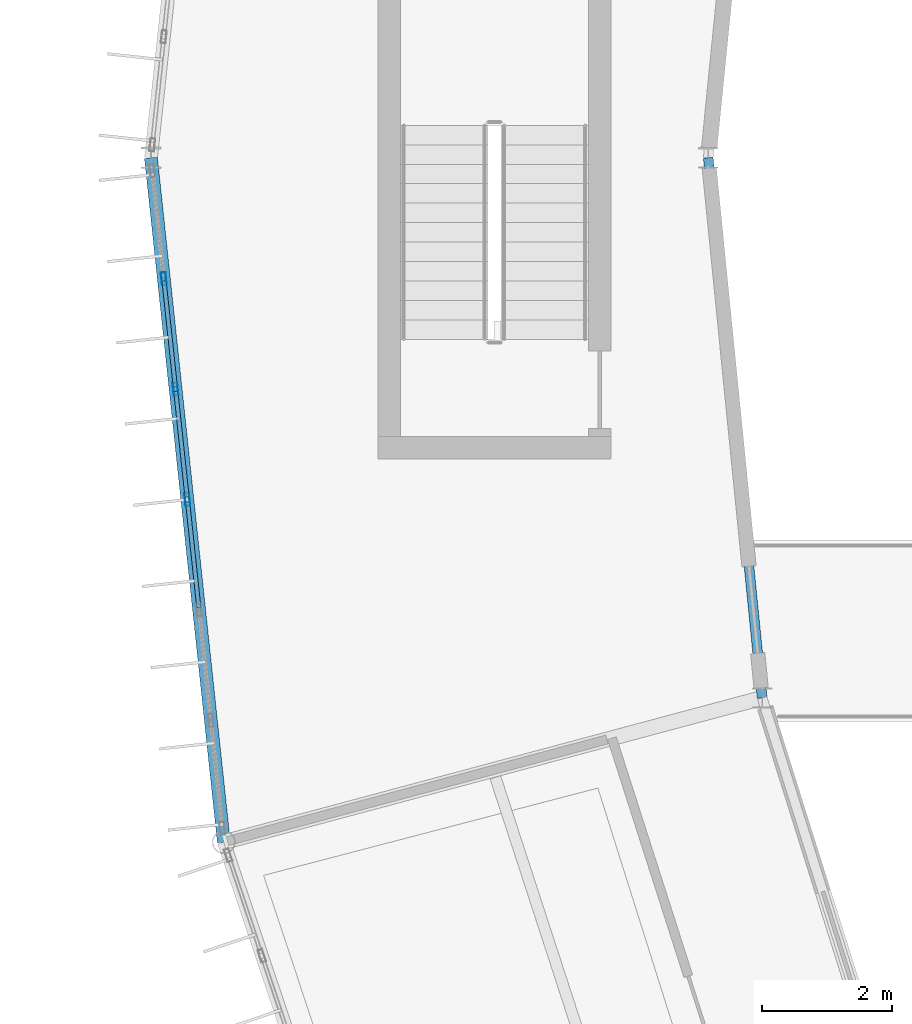
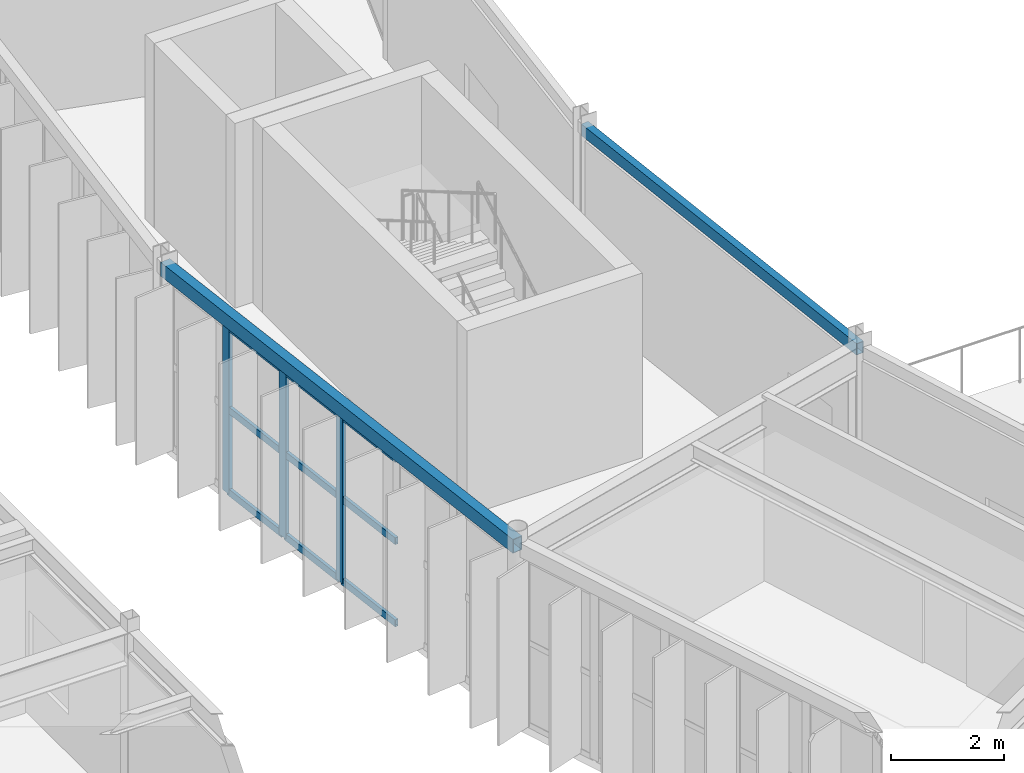
# One storey, part 43 of 147: 12 members, 2 beams, 1 element without a shape of its own.
"""IFC4 building model written with IfcOpenShell, lengths in metres."""

from ifc_helpers import new_model, si_unit, direction, frame, origin, origin_2d, place, context, subcontext, project, spatial, hollow_rectangle, extrude, material, material_profile, profile_set, type_object, element, aggregate, save


model = new_model("IFC4")

# Units and contexts
model_context = context("Model", 3, precision=1e-05, world=origin(), true_north=direction((0.0, 1.0)))
body_context = subcontext(model_context, "Body", "Model", "MODEL_VIEW")
ifc_project = project(units=[si_unit("LENGTHUNIT", "METRE"), si_unit("AREAUNIT", "SQUARE_METRE"), si_unit("VOLUMEUNIT", "CUBIC_METRE"), si_unit("PLANEANGLEUNIT", "RADIAN"), si_unit("MASSUNIT", "GRAM", prefix="KILO")], contexts=[model_context])

# Site, building, storey
site_placement = place(None, origin())
site = spatial("IfcSite", under=ifc_project, at=site_placement, CompositionType="ELEMENT")
building_placement = place(site_placement, origin())
building = spatial("IfcBuilding", under=site, at=building_placement, Name="Karori Crest Natural Sciences Institute", CompositionType="ELEMENT")
storey_placement = place(building_placement, frame((0.0, 0.0, 9.10009765625)))
storey = spatial("IfcBuildingStorey", under=building, at=storey_placement, Name="L02", CompositionType="ELEMENT", Elevation=9.10009765625)

# Beams
ifc_material_1 = material(Name="Hollow structural steel AS/NZS 1163 Grade C350", Category="steel")
ifc_material_profile_1 = material_profile(ifc_material_1, hollow_rectangle(XDim=0.199951171875, YDim=0.300048828125, WallThickness=0.010009765625, at=origin_2d()), Name="RHS300x200x10")
ifc_profile_set_1 = profile_set([ifc_material_profile_1], Name="Hollow structural steel AS/NZS 1163 Grade C350")
beam_type_1 = type_object("IfcBeamType", Name="BT-15", PredefinedType="SPANDREL", material=ifc_profile_set_1)
beam_1_placement = place(storey_placement, frame((33.39990234375, 49.89990234375, 3.789794921875), z_axis=(0.105891010563, -0.994377742049, 0.0), x_axis=(0.994377742049, 0.105891010563, 0.0)))
element("IfcBeam", 1, at=beam_1_placement, inside=storey, type_object=beam_type_1, Name="Beam B-0316", PredefinedType="SPANDREL", context=body_context, shape_type="SweptSolid", body=[
    extrude(hollow_rectangle(XDim=0.199951171875, YDim=0.300048828125, WallThickness=0.010009765625, at=origin_2d()), origin(), (0.0, 0.0, 1.0), 10.61962890625),
])
ifc_material_profile_2 = material_profile(ifc_material_1, hollow_rectangle(XDim=0.14990234375, YDim=0.25, WallThickness=0.009033203125, at=origin_2d()), Name="RHS250x150x9")
ifc_profile_set_2 = profile_set([ifc_material_profile_2], Name="Hollow structural steel AS/NZS 1163 Grade C350")
beam_type_2 = type_object("IfcBeamType", Name="BT-16", PredefinedType="SPANDREL", material=ifc_profile_set_2)
beam_2_placement = place(storey_placement, frame((42.0, 49.89990234375, 3.789794921875), z_axis=(0.099255508608, -0.995061979985, 0.0), x_axis=(0.995061979985, 0.099255508608, 0.0)))
element("IfcBeam", 2, at=beam_2_placement, inside=storey, type_object=beam_type_2, Name="Beam B-0317", PredefinedType="SPANDREL", context=body_context, shape_type="SweptSolid", body=[
    extrude(hollow_rectangle(XDim=0.14990234375, YDim=0.25, WallThickness=0.009033203125, at=origin_2d()), origin(), (0.0, 0.0, 1.0), 8.375244140625),
])

# Curtain wall, members
ifc_material_2 = material(Name="Anodised architectural aluminium 6063-T6", Category="aluminium")
curtain_wall_type = type_object("IfcCurtainWallType", Name="CWT-03", PredefinedType="NOTDEFINED", material=ifc_material_2)
curtain_wall_placement = place(storey_placement, origin())
curtain_wall = element("IfcCurtainWall", 3, at=curtain_wall_placement, inside=storey, type_object=curtain_wall_type, Name="Curtain wall CW-0083", PredefinedType="NOTDEFINED")
ifc_material_profile_3 = material_profile(ifc_material_2, hollow_rectangle(XDim=0.074951171875, YDim=0.199951171875, WallThickness=0.0048828125, at=origin_2d()), Name="CWM200x75x5")
ifc_profile_set_3 = profile_set([ifc_material_profile_3], Name="Anodised architectural aluminium 6063-T6")
member_type_1 = type_object("IfcMemberType", Name="CWM-02", PredefinedType="MULLION", material=ifc_profile_set_3)
member_1_placement = place(storey_placement, frame((33.96142578125, 44.626708984375, 0.0), z_axis=(0.0, 0.0, 1.0), x_axis=(-0.994378742451, -0.105881615789, 0.0)))
member_1 = element("IfcMember", 4, at=member_1_placement, type_object=member_type_1, Name="CW-0083 mullion 4", PredefinedType="MULLION", context=body_context, shape_type="SweptSolid", body=[
    extrude(hollow_rectangle(XDim=0.074951171875, YDim=0.199951171875, WallThickness=0.0048828125, at=origin_2d()), origin(), (0.0, 0.0, 1.0), 3.625),
])
member_2_placement = place(storey_placement, frame((33.780029296875, 46.33056640625, 0.0), z_axis=(0.0, 0.0, 1.0), x_axis=(-0.994378742451, -0.105881615789, 0.0)))
member_2 = element("IfcMember", 5, at=member_2_placement, type_object=member_type_1, Name="CW-0083 mullion 5", PredefinedType="MULLION", context=body_context, shape_type="SweptSolid", body=[
    extrude(hollow_rectangle(XDim=0.074951171875, YDim=0.199951171875, WallThickness=0.0048828125, at=origin_2d()), origin(), (0.0, 0.0, 1.0), 3.625),
])
member_3_placement = place(storey_placement, frame((33.5986328125, 48.03466796875, 0.0), z_axis=(0.0, 0.0, 1.0), x_axis=(-0.994378742451, -0.105881615789, 0.0)))
member_3 = element("IfcMember", 6, at=member_3_placement, type_object=member_type_1, Name="CW-0083 mullion 6", PredefinedType="MULLION", context=body_context, shape_type="SweptSolid", body=[
    extrude(hollow_rectangle(XDim=0.074951171875, YDim=0.199951171875, WallThickness=0.0048828125, at=origin_2d()), origin(), (0.0, 0.0, 1.0), 3.625),
])
ifc_material_profile_4 = material_profile(ifc_material_2, hollow_rectangle(XDim=0.06494140625, YDim=0.14990234375, WallThickness=0.00390625, at=origin_2d()), Name="CWT150x65x4")
ifc_profile_set_4 = profile_set([ifc_material_profile_4], Name="Anodised architectural aluminium 6063-T6")
member_type_2 = type_object("IfcMemberType", Name="CWT-TR2", PredefinedType="USERDEFINED", material=ifc_profile_set_4)
member_4_placement = place(storey_placement, frame((34.138916015625, 42.960205078125, 0.032470703125), z_axis=(-0.105801729998, 0.994387245458, 0.0), x_axis=(-0.994387245458, -0.105801729998, 0.0)))
member_4 = element("IfcMember", 7, at=member_4_placement, type_object=member_type_2, Name="CW-0083 transom 3.1", ObjectType="TRANSOM", PredefinedType="USERDEFINED", context=body_context, shape_type="SweptSolid", body=[
    extrude(hollow_rectangle(XDim=0.06494140625, YDim=0.14990234375, WallThickness=0.00390625, at=origin_2d()), origin(), (0.0, 0.0, 1.0), 1.638427734375),
])
member_5_placement = place(storey_placement, frame((34.138916015625, 42.960205078125, 1.8125), z_axis=(-0.105801729998, 0.994387245458, 0.0), x_axis=(-0.994387245458, -0.105801729998, 0.0)))
member_5 = element("IfcMember", 8, at=member_5_placement, type_object=member_type_2, Name="CW-0083 transom 3.2", ObjectType="TRANSOM", PredefinedType="USERDEFINED", context=body_context, shape_type="SweptSolid", body=[
    extrude(hollow_rectangle(XDim=0.06494140625, YDim=0.14990234375, WallThickness=0.00390625, at=origin_2d()), origin(), (0.0, 0.0, 1.0), 1.638427734375),
])
member_6_placement = place(storey_placement, frame((34.138916015625, 42.960205078125, 3.59228515625), z_axis=(-0.105801729998, 0.994387245458, 0.0), x_axis=(-0.994387245458, -0.105801729998, 0.0)))
member_6 = element("IfcMember", 9, at=member_6_placement, type_object=member_type_2, Name="CW-0083 transom 3.3", ObjectType="TRANSOM", PredefinedType="USERDEFINED", context=body_context, shape_type="SweptSolid", body=[
    extrude(hollow_rectangle(XDim=0.06494140625, YDim=0.14990234375, WallThickness=0.00390625, at=origin_2d()), origin(), (0.0, 0.0, 1.0), 1.638427734375),
])
member_7_placement = place(storey_placement, frame((33.95751953125, 44.6640625, 0.032470703125), z_axis=(-0.105933378201, 0.994373229418, 0.0), x_axis=(-0.994373229418, -0.105933378201, 0.0)))
member_7 = element("IfcMember", 10, at=member_7_placement, type_object=member_type_2, Name="CW-0083 transom 4.1", ObjectType="TRANSOM", PredefinedType="USERDEFINED", context=body_context, shape_type="SweptSolid", body=[
    extrude(hollow_rectangle(XDim=0.06494140625, YDim=0.14990234375, WallThickness=0.00390625, at=origin_2d()), origin(), (0.0, 0.0, 1.0), 1.638671875),
])
member_8_placement = place(storey_placement, frame((33.95751953125, 44.6640625, 1.8125), z_axis=(-0.105933378201, 0.994373229418, 0.0), x_axis=(-0.994373229418, -0.105933378201, 0.0)))
member_8 = element("IfcMember", 11, at=member_8_placement, type_object=member_type_2, Name="CW-0083 transom 4.2", ObjectType="TRANSOM", PredefinedType="USERDEFINED", context=body_context, shape_type="SweptSolid", body=[
    extrude(hollow_rectangle(XDim=0.06494140625, YDim=0.14990234375, WallThickness=0.00390625, at=origin_2d()), origin(), (0.0, 0.0, 1.0), 1.638671875),
])
member_9_placement = place(storey_placement, frame((33.95751953125, 44.6640625, 3.59228515625), z_axis=(-0.105933378201, 0.994373229418, 0.0), x_axis=(-0.994373229418, -0.105933378201, 0.0)))
member_9 = element("IfcMember", 12, at=member_9_placement, type_object=member_type_2, Name="CW-0083 transom 4.3", ObjectType="TRANSOM", PredefinedType="USERDEFINED", context=body_context, shape_type="SweptSolid", body=[
    extrude(hollow_rectangle(XDim=0.06494140625, YDim=0.14990234375, WallThickness=0.00390625, at=origin_2d()), origin(), (0.0, 0.0, 1.0), 1.638671875),
])
member_10_placement = place(storey_placement, frame((33.776123046875, 46.367919921875, 0.032470703125), z_axis=(-0.105933378201, 0.994373229418, 0.0), x_axis=(-0.994373229418, -0.105933378201, 0.0)))
member_10 = element("IfcMember", 13, at=member_10_placement, type_object=member_type_2, Name="CW-0083 transom 5.1", ObjectType="TRANSOM", PredefinedType="USERDEFINED", context=body_context, shape_type="SweptSolid", body=[
    extrude(hollow_rectangle(XDim=0.06494140625, YDim=0.14990234375, WallThickness=0.00390625, at=origin_2d()), origin(), (0.0, 0.0, 1.0), 1.638671875),
])
member_11_placement = place(storey_placement, frame((33.776123046875, 46.367919921875, 1.8125), z_axis=(-0.105933378201, 0.994373229418, 0.0), x_axis=(-0.994373229418, -0.105933378201, 0.0)))
member_11 = element("IfcMember", 14, at=member_11_placement, type_object=member_type_2, Name="CW-0083 transom 5.2", ObjectType="TRANSOM", PredefinedType="USERDEFINED", context=body_context, shape_type="SweptSolid", body=[
    extrude(hollow_rectangle(XDim=0.06494140625, YDim=0.14990234375, WallThickness=0.00390625, at=origin_2d()), origin(), (0.0, 0.0, 1.0), 1.638671875),
])
member_12_placement = place(storey_placement, frame((33.776123046875, 46.367919921875, 3.59228515625), z_axis=(-0.105933378201, 0.994373229418, 0.0), x_axis=(-0.994373229418, -0.105933378201, 0.0)))
member_12 = element("IfcMember", 15, at=member_12_placement, type_object=member_type_2, Name="CW-0083 transom 5.3", ObjectType="TRANSOM", PredefinedType="USERDEFINED", context=body_context, shape_type="SweptSolid", body=[
    extrude(hollow_rectangle(XDim=0.06494140625, YDim=0.14990234375, WallThickness=0.00390625, at=origin_2d()), origin(), (0.0, 0.0, 1.0), 1.638671875),
])
aggregate(curtain_wall, [member_1, member_2, member_3, member_4, member_5, member_6, member_7, member_8, member_9, member_10, member_11, member_12])

save(model, "model.ifc")
